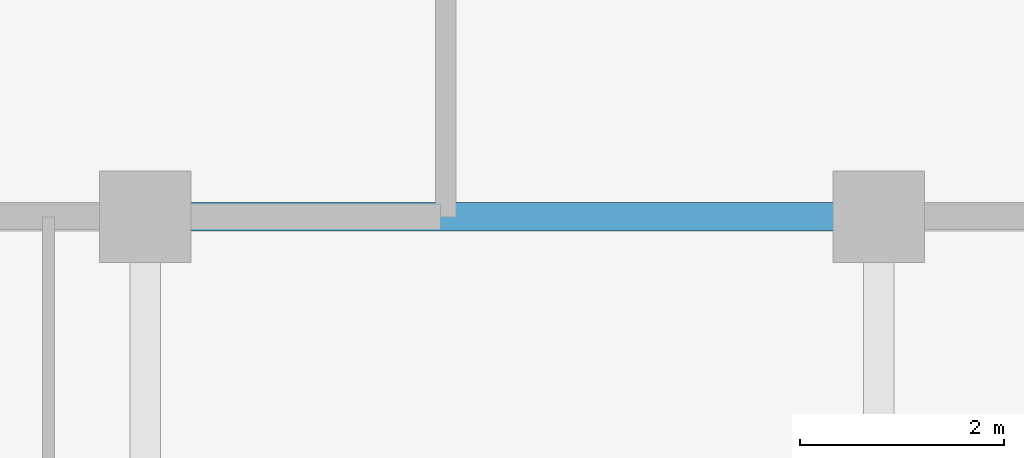
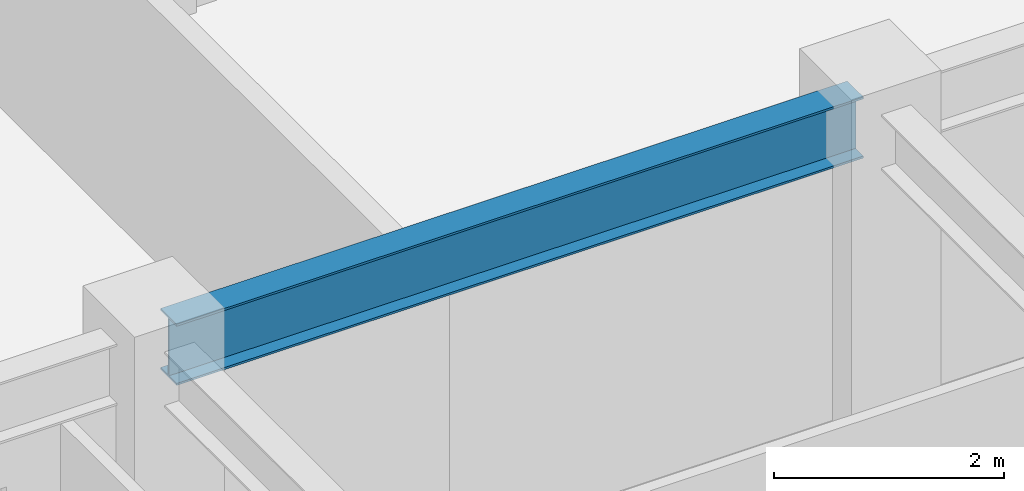
# One storey, part 9 of 25: 1 beam.
"""IFC4 building model written with IfcOpenShell, lengths in metres."""

from ifc_helpers import new_model, si_unit, direction, frame, origin, origin_2d, place, context, subcontext, project, spatial, i_section, extrude, source, transform, mapped, material, material_profile, profile_set, type_object, element, save


model = new_model("IFC4")

# Units and contexts
model_context = context("Model", 3, precision=1e-05, world=origin(), true_north=direction((0.0, 1.0)))
body_context = subcontext(model_context, "Body", "Model", "MODEL_VIEW")
ifc_project = project(units=[si_unit("LENGTHUNIT", "METRE"), si_unit("AREAUNIT", "SQUARE_METRE"), si_unit("VOLUMEUNIT", "CUBIC_METRE"), si_unit("PLANEANGLEUNIT", "RADIAN"), si_unit("MASSUNIT", "GRAM", prefix="KILO")], contexts=[model_context])

# Site, building, storey
site_placement = place(None, origin())
site = spatial("IfcSite", under=ifc_project, at=site_placement, CompositionType="ELEMENT")
building_placement = place(site_placement, origin())
building = spatial("IfcBuilding", under=site, at=building_placement, Name="Trelvane Seafront Commons", CompositionType="ELEMENT")
storey_placement = place(building_placement, frame((0.0, 0.0, 66.699951171875)))
storey = spatial("IfcBuildingStorey", under=building, at=storey_placement, Name="L17", CompositionType="ELEMENT", Elevation=66.699951171875)

# Beam
ifc_material = material(Name="Steel SM355 (S355)", Category="steel")
ifc_material_profile = material_profile(ifc_material, i_section(OverallWidth=0.280029296875, OverallDepth=0.64990234375, WebThickness=0.012939453125, FlangeThickness=0.02197265625, at=origin_2d()), Name="H-650x280x13x22")
ifc_profile_set = profile_set([ifc_material_profile], Name="Steel SM355 (S355)")
beam_type = type_object("IfcBeamType", Name="STR-BM-H650", PredefinedType="BEAM", material=ifc_profile_set)
shared_shape = source(origin(), body_context, "Body", "SweptSolid", [
    extrude(i_section(OverallWidth=0.280029296875, OverallDepth=0.64990234375, WebThickness=0.012939453125, FlangeThickness=0.02197265625, at=origin_2d()), origin(), (0.0, 0.0, 1.0), 6.89990234375),
])
beam_placement = place(storey_placement, frame((23.550048828125, 33.39990234375, 3.01513671875), z_axis=(1.0, 0.0, 0.0), x_axis=(0.0, 1.0, 0.0)))
element("IfcBeam", 1, at=beam_placement, inside=storey, type_object=beam_type, Name="L17 Primary Girder G-22", PredefinedType="BEAM", context=body_context, shape_type="MappedRepresentation", body=[
    mapped(shared_shape, transform((0.0, 0.0, 0.0), x_axis=(1.0, 0.0, 0.0), y_axis=(0.0, 1.0, 0.0), z_axis=(0.0, 0.0, 1.0), scale=1.0)),
])

save(model, "model.ifc")
